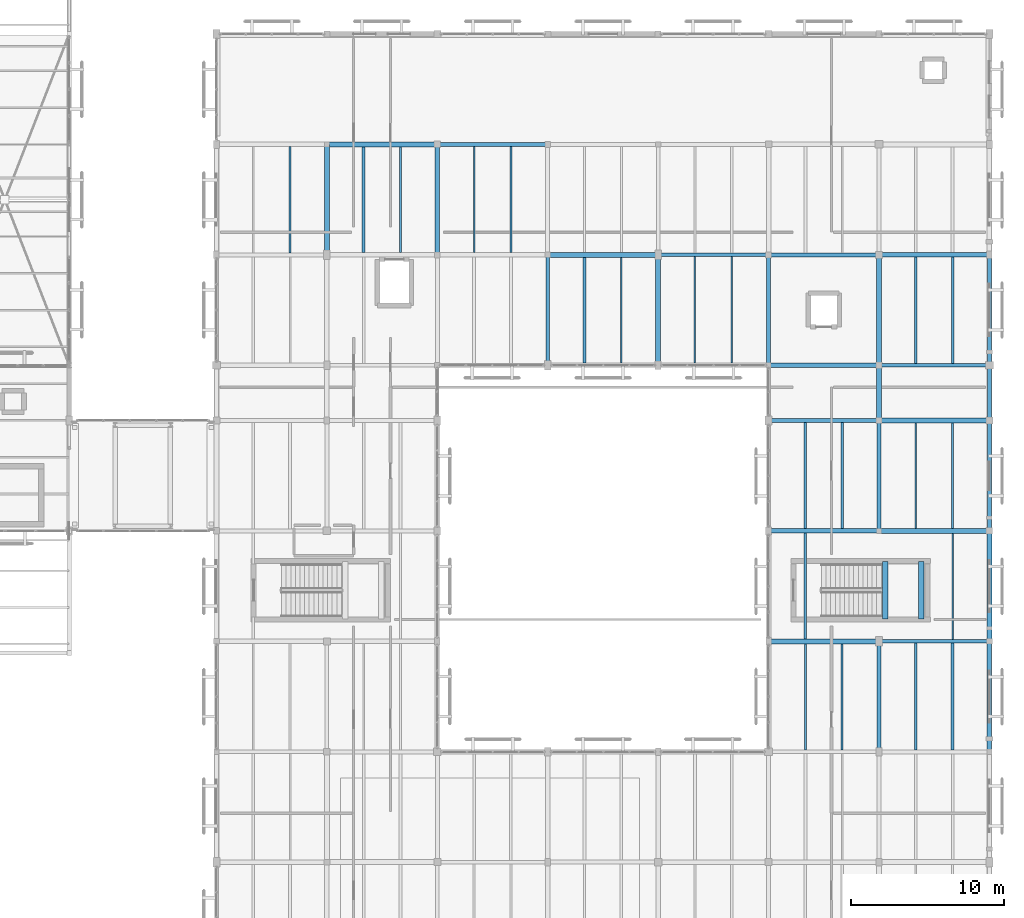
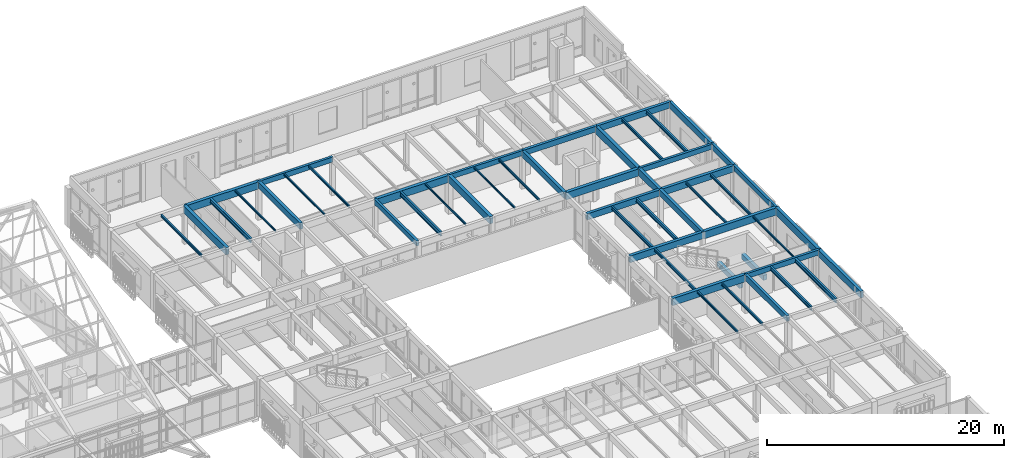
# One storey, part 155 of 217: 51 beams.
"""IFC4 building model written with IfcOpenShell, lengths in metres."""

from ifc_helpers import new_model, si_unit, direction, frame, origin, origin_2d, place, context, subcontext, project, spatial, rectangle, i_section, extrude, material, material_profile, profile_set, type_object, element, save


model = new_model("IFC4")

# Units and contexts
model_context = context("Model", 3, precision=1e-05, world=origin(), true_north=direction((0.0, 1.0)))
body_context = subcontext(model_context, "Body", "Model", "MODEL_VIEW")
ifc_project = project(units=[si_unit("LENGTHUNIT", "METRE"), si_unit("AREAUNIT", "SQUARE_METRE"), si_unit("VOLUMEUNIT", "CUBIC_METRE"), si_unit("PLANEANGLEUNIT", "RADIAN"), si_unit("MASSUNIT", "GRAM", prefix="KILO")], contexts=[model_context])

# Site, building, storey
site_placement = place(None, origin())
site = spatial("IfcSite", under=ifc_project, at=site_placement, CompositionType="ELEMENT")
building_placement = place(site_placement, origin())
building = spatial("IfcBuilding", under=site, at=building_placement, Name="Mazaris Harbour Polytechnic", CompositionType="ELEMENT")
storey_placement = place(building_placement, frame((0.0, 0.0, 9.60009765625)))
storey = spatial("IfcBuildingStorey", under=building, at=storey_placement, Name="L02", CompositionType="ELEMENT", Elevation=9.60009765625)

# Beams
ifc_material_1 = material(Name="Glulam GL32h", Category="wood")
ifc_material_profile_1 = material_profile(ifc_material_1, rectangle(XDim=0.239990234375, YDim=0.52001953125, at=origin_2d()), Name="RECT240x520")
ifc_profile_set_1 = profile_set([ifc_material_profile_1], Name="Glulam GL32h")
beam_type_1 = type_object("IfcBeamType", Name="Glulam Girder 240x520", PredefinedType="BEAM", material=ifc_profile_set_1)
for number, where, z_axis, x_axis, name in (
    (1, (165.60009765625, 68.39990234375, 3.659912109375), (1.0, 0.0, 0.0), (0.0, 1.0, 0.0), "V5 L02 Girder 3140"),
    (2, (165.60009765625, 86.39990234375, 3.659912109375), (1.0, 0.0, 0.0), (0.0, 1.0, 0.0), "V5 L02 Girder 3155"),
    (3, (151.199951171875, 93.60009765625, 3.659912109375), (1.0, 0.0, 0.0), (0.0, 1.0, 0.0), "V5 L02 Girder 3160"),
):
    element("IfcBeam", number, at=place(storey_placement, frame(where, z_axis=z_axis, x_axis=x_axis)), inside=storey, type_object=beam_type_1, Name=name, PredefinedType="BEAM", context=body_context, shape_type="SweptSolid", body=[
        extrude(rectangle(XDim=0.239990234375, YDim=0.52001953125, at=origin_2d()), origin(), (0.0, 0.0, 1.0), 7.199951171875),
    ])
beam_1_placement = place(storey_placement, frame((144.0, 86.39990234375, 3.659912109375), z_axis=(0.0, 1.0, 0.0), x_axis=(-1.0, 0.0, 0.0)))
element("IfcBeam", 4, at=beam_1_placement, inside=storey, type_object=beam_type_1, Name="V5 L02 Tie Girder 3195", PredefinedType="BEAM", context=body_context, shape_type="SweptSolid", body=[
    extrude(rectangle(XDim=0.239990234375, YDim=0.52001953125, at=origin_2d()), origin(), (0.0, 0.0, 1.0), 7.2001953125),
])
ifc_material_2 = material(Name="Glulam GL32h", Category="wood")
ifc_material_profile_2 = material_profile(ifc_material_2, rectangle(XDim=0.239990234375, YDim=0.52001953125, at=origin_2d()), Name="RECT240x520")
ifc_profile_set_2 = profile_set([ifc_material_profile_2], Name="Glulam GL32h")
beam_type_2 = type_object("IfcBeamType", Name="Glulam Girder 240x520 Exterior", PredefinedType="BEAM", material=ifc_profile_set_2)
for number, where, z_axis, x_axis, name in (
    (5, (136.800048828125, 100.800048828125, 3.659912109375), (1.0, 0.0, 0.0), (0.0, 1.0, 0.0), "V5 L02 Girder 3165"),
    (6, (172.800048828125, 75.60009765625, 3.659912109375), (0.0, 1.0, 0.0), (-1.0, 0.0, 0.0), "V5 L02 Tie Girder 3220"),
):
    element("IfcBeam", number, at=place(storey_placement, frame(where, z_axis=z_axis, x_axis=x_axis)), inside=storey, type_object=beam_type_2, Name=name, PredefinedType="BEAM", context=body_context, shape_type="SweptSolid", body=[
        extrude(rectangle(XDim=0.239990234375, YDim=0.52001953125, at=origin_2d()), origin(), (0.0, 0.0, 1.0), 7.199951171875),
    ])
ifc_material_3 = material(Name="Glulam GL32h", Category="wood")
ifc_material_profile_3 = material_profile(ifc_material_3, rectangle(XDim=0.260009765625, YDim=0.580078125, at=origin_2d()), Name="RECT260x580")
ifc_profile_set_3 = profile_set([ifc_material_profile_3], Name="Glulam GL32h")
beam_type_3 = type_object("IfcBeamType", Name="Glulam Girder 260x580", PredefinedType="BEAM", material=ifc_profile_set_3)
beam_2_placement = place(storey_placement, frame((158.39990234375, 93.60009765625, 3.6298828125), z_axis=(1.0, 0.0, 0.0), x_axis=(0.0, 1.0, 0.0)))
element("IfcBeam", 7, at=beam_2_placement, inside=storey, type_object=beam_type_3, Name="V5 L02 Girder 3161", PredefinedType="BEAM", context=body_context, shape_type="SweptSolid", body=[
    extrude(rectangle(XDim=0.260009765625, YDim=0.580078125, at=origin_2d()), origin(), (0.0, 0.0, 1.0), 7.2001953125),
])
beam_3_placement = place(storey_placement, frame((165.60009765625, 61.199951171875, 3.6298828125), z_axis=(0.0, 1.0, 0.0), x_axis=(-1.0, 0.0, 0.0)))
element("IfcBeam", 8, at=beam_3_placement, inside=storey, type_object=beam_type_3, Name="V5 L02 Tie Girder 3211", PredefinedType="BEAM", context=body_context, shape_type="SweptSolid", body=[
    extrude(rectangle(XDim=0.260009765625, YDim=0.580078125, at=origin_2d()), origin(), (0.0, 0.0, 1.0), 7.199951171875),
])
ifc_material_4 = material(Name="Glulam GL32h", Category="wood")
ifc_material_profile_4 = material_profile(ifc_material_4, rectangle(XDim=0.260009765625, YDim=0.580078125, at=origin_2d()), Name="RECT260x580")
ifc_profile_set_4 = profile_set([ifc_material_profile_4], Name="Glulam GL32h")
beam_type_4 = type_object("IfcBeamType", Name="Glulam Girder 260x580 Exterior", PredefinedType="BEAM", material=ifc_profile_set_4)
beam_4_placement = place(storey_placement, frame((172.800048828125, 82.800048828125, 3.6298828125), z_axis=(0.0, 1.0, 0.0), x_axis=(-1.0, 0.0, 0.0)))
element("IfcBeam", 9, at=beam_4_placement, inside=storey, type_object=beam_type_4, Name="V5 L02 Tie Girder 3221", PredefinedType="BEAM", context=body_context, shape_type="SweptSolid", body=[
    extrude(rectangle(XDim=0.260009765625, YDim=0.580078125, at=origin_2d()), origin(), (0.0, 0.0, 1.0), 3.599853515625),
])
ifc_material_5 = material(Name="Glulam GL32h", Category="wood")
ifc_material_profile_5 = material_profile(ifc_material_5, rectangle(XDim=0.280029296875, YDim=0.639892578125, at=origin_2d()), Name="RECT280x640")
ifc_profile_set_5 = profile_set([ifc_material_profile_5], Name="Glulam GL32h")
beam_type_5 = type_object("IfcBeamType", Name="Glulam Girder 280x640", PredefinedType="BEAM", material=ifc_profile_set_5)
beam_5_placement = place(storey_placement, frame((158.39990234375, 82.800048828125, 3.599853515625), z_axis=(1.0, 0.0, 0.0), x_axis=(0.0, 1.0, 0.0)))
element("IfcBeam", 10, at=beam_5_placement, inside=storey, type_object=beam_type_5, Name="V5 L02 Girder 3147", PredefinedType="BEAM", context=body_context, shape_type="SweptSolid", body=[
    extrude(rectangle(XDim=0.280029296875, YDim=0.639892578125, at=origin_2d()), origin(), (0.0, 0.0, 1.0), 7.2001953125),
])
for number, where, z_axis, x_axis, name in (
    (11, (165.60009765625, 93.60009765625, 3.599853515625), (1.0, 0.0, 0.0), (0.0, 1.0, 0.0), "V5 L02 Girder 3162"),
    (12, (136.800048828125, 93.60009765625, 3.599853515625), (0.0, 1.0, 0.0), (-1.0, 0.0, 0.0), "V5 L02 Tie Girder 3192"),
):
    element("IfcBeam", number, at=place(storey_placement, frame(where, z_axis=z_axis, x_axis=x_axis)), inside=storey, type_object=beam_type_5, Name=name, PredefinedType="BEAM", context=body_context, shape_type="SweptSolid", body=[
        extrude(rectangle(XDim=0.280029296875, YDim=0.639892578125, at=origin_2d()), origin(), (0.0, 0.0, 1.0), 7.199951171875),
    ])
beam_6_placement = place(storey_placement, frame((158.39990234375, 86.39990234375, 3.599853515625), z_axis=(0.0, 1.0, 0.0), x_axis=(-1.0, 0.0, 0.0)))
element("IfcBeam", 13, at=beam_6_placement, inside=storey, type_object=beam_type_5, Name="V5 L02 Tie Girder 3207", PredefinedType="BEAM", context=body_context, shape_type="SweptSolid", body=[
    extrude(rectangle(XDim=0.280029296875, YDim=0.639892578125, at=origin_2d()), origin(), (0.0, 0.0, 1.0), 7.2001953125),
])
beam_7_placement = place(storey_placement, frame((165.60009765625, 75.60009765625, 3.599853515625), z_axis=(0.0, 1.0, 0.0), x_axis=(-1.0, 0.0, 0.0)))
element("IfcBeam", 14, at=beam_7_placement, inside=storey, type_object=beam_type_5, Name="V5 L02 Tie Girder 3212", PredefinedType="BEAM", context=body_context, shape_type="SweptSolid", body=[
    extrude(rectangle(XDim=0.280029296875, YDim=0.639892578125, at=origin_2d()), origin(), (0.0, 0.0, 1.0), 7.199951171875),
])
ifc_material_6 = material(Name="Glulam GL32h", Category="wood")
ifc_material_profile_6 = material_profile(ifc_material_6, rectangle(XDim=0.280029296875, YDim=0.639892578125, at=origin_2d()), Name="RECT280x640")
ifc_profile_set_6 = profile_set([ifc_material_profile_6], Name="Glulam GL32h")
beam_type_6 = type_object("IfcBeamType", Name="Glulam Girder 280x640 Exterior", PredefinedType="BEAM", material=ifc_profile_set_6)
beam_8_placement = place(storey_placement, frame((172.800048828125, 86.39990234375, 3.599853515625), z_axis=(0.0, 1.0, 0.0), x_axis=(-1.0, 0.0, 0.0)))
element("IfcBeam", 15, at=beam_8_placement, inside=storey, type_object=beam_type_6, Name="V5 L02 Tie Girder 3222", PredefinedType="BEAM", context=body_context, shape_type="SweptSolid", body=[
    extrude(rectangle(XDim=0.280029296875, YDim=0.639892578125, at=origin_2d()), origin(), (0.0, 0.0, 1.0), 7.2001953125),
])
ifc_material_7 = material(Name="Glulam GL32h", Category="wood")
ifc_material_profile_7 = material_profile(ifc_material_7, rectangle(XDim=0.300048828125, YDim=0.679931640625, at=origin_2d()), Name="RECT300x680")
ifc_profile_set_7 = profile_set([ifc_material_profile_7], Name="Glulam GL32h")
beam_type_7 = type_object("IfcBeamType", Name="Glulam Girder 300x680", PredefinedType="BEAM", material=ifc_profile_set_7)
beam_9_placement = place(storey_placement, frame((158.39990234375, 75.60009765625, 3.579833984375), z_axis=(1.0, 0.0, 0.0), x_axis=(0.0, 1.0, 0.0)))
element("IfcBeam", 16, at=beam_9_placement, inside=storey, type_object=beam_type_7, Name="V5 L02 Girder 3143", PredefinedType="BEAM", context=body_context, shape_type="SweptSolid", body=[
    extrude(rectangle(XDim=0.300048828125, YDim=0.679931640625, at=origin_2d()), origin(), (0.0, 0.0, 1.0), 7.2001953125),
])
beam_10_placement = place(storey_placement, frame((165.60009765625, 82.800048828125, 3.579833984375), z_axis=(1.0, 0.0, 0.0), x_axis=(0.0, 1.0, 0.0)))
element("IfcBeam", 17, at=beam_10_placement, inside=storey, type_object=beam_type_7, Name="V5 L02 Girder 3148", PredefinedType="BEAM", context=body_context, shape_type="SweptSolid", body=[
    extrude(rectangle(XDim=0.300048828125, YDim=0.679931640625, at=origin_2d()), origin(), (0.0, 0.0, 1.0), 7.199951171875),
])
beam_11_placement = place(storey_placement, frame((165.60009765625, 82.800048828125, 3.579833984375), z_axis=(0.0, 1.0, 0.0), x_axis=(-1.0, 0.0, 0.0)))
element("IfcBeam", 18, at=beam_11_placement, inside=storey, type_object=beam_type_7, Name="V5 L02 Tie Girder 3213", PredefinedType="BEAM", context=body_context, shape_type="SweptSolid", body=[
    extrude(rectangle(XDim=0.300048828125, YDim=0.679931640625, at=origin_2d()), origin(), (0.0, 0.0, 1.0), 3.599853515625),
])
ifc_material_8 = material(Name="Glulam GL32h", Category="wood")
ifc_material_profile_8 = material_profile(ifc_material_8, rectangle(XDim=0.300048828125, YDim=0.679931640625, at=origin_2d()), Name="RECT300x680")
ifc_profile_set_8 = profile_set([ifc_material_profile_8], Name="Glulam GL32h")
beam_type_8 = type_object("IfcBeamType", Name="Glulam Girder 300x680 Exterior", PredefinedType="BEAM", material=ifc_profile_set_8)
beam_12_placement = place(storey_placement, frame((172.800048828125, 61.199951171875, 3.579833984375), z_axis=(0.0, 1.0, 0.0), x_axis=(-1.0, 0.0, 0.0)))
element("IfcBeam", 19, at=beam_12_placement, inside=storey, type_object=beam_type_8, Name="V5 L02 Tie Girder 3218", PredefinedType="BEAM", context=body_context, shape_type="SweptSolid", body=[
    extrude(rectangle(XDim=0.300048828125, YDim=0.679931640625, at=origin_2d()), origin(), (0.0, 0.0, 1.0), 7.199951171875),
])
ifc_material_9 = material(Name="Glulam GL32h", Category="wood")
ifc_material_profile_9 = material_profile(ifc_material_9, rectangle(XDim=0.320068359375, YDim=0.739990234375, at=origin_2d()), Name="RECT320x740")
ifc_profile_set_9 = profile_set([ifc_material_profile_9], Name="Glulam GL32h")
beam_type_9 = type_object("IfcBeamType", Name="Glulam Girder 320x740", PredefinedType="BEAM", material=ifc_profile_set_9)
beam_13_placement = place(storey_placement, frame((158.39990234375, 68.39990234375, 3.5498046875), z_axis=(1.0, 0.0, 0.0), x_axis=(0.0, 1.0, 0.0)))
element("IfcBeam", 20, at=beam_13_placement, inside=storey, type_object=beam_type_9, Name="V5 L02 Girder 3139", PredefinedType="BEAM", context=body_context, shape_type="SweptSolid", body=[
    extrude(rectangle(XDim=0.320068359375, YDim=0.739990234375, at=origin_2d()), origin(), (0.0, 0.0, 1.0), 7.2001953125),
])
beam_14_placement = place(storey_placement, frame((165.60009765625, 75.60009765625, 3.5498046875), z_axis=(1.0, 0.0, 0.0), x_axis=(0.0, 1.0, 0.0)))
element("IfcBeam", 21, at=beam_14_placement, inside=storey, type_object=beam_type_9, Name="V5 L02 Girder 3144", PredefinedType="BEAM", context=body_context, shape_type="SweptSolid", body=[
    extrude(rectangle(XDim=0.320068359375, YDim=0.739990234375, at=origin_2d()), origin(), (0.0, 0.0, 1.0), 7.199951171875),
])
beam_15_placement = place(storey_placement, frame((158.39990234375, 86.39990234375, 3.5498046875), z_axis=(1.0, 0.0, 0.0), x_axis=(0.0, 1.0, 0.0)))
element("IfcBeam", 22, at=beam_15_placement, inside=storey, type_object=beam_type_9, Name="V5 L02 Girder 3154", PredefinedType="BEAM", context=body_context, shape_type="SweptSolid", body=[
    extrude(rectangle(XDim=0.320068359375, YDim=0.739990234375, at=origin_2d()), origin(), (0.0, 0.0, 1.0), 7.2001953125),
])
for number, where, z_axis, x_axis, name in (
    (23, (144.0, 93.60009765625, 3.5498046875), (1.0, 0.0, 0.0), (0.0, 1.0, 0.0), "V5 L02 Girder 3159"),
    (24, (129.60009765625, 93.60009765625, 3.5498046875), (0.0, 1.0, 0.0), (-1.0, 0.0, 0.0), "V5 L02 Tie Girder 3184"),
):
    element("IfcBeam", number, at=place(storey_placement, frame(where, z_axis=z_axis, x_axis=x_axis)), inside=storey, type_object=beam_type_9, Name=name, PredefinedType="BEAM", context=body_context, shape_type="SweptSolid", body=[
        extrude(rectangle(XDim=0.320068359375, YDim=0.739990234375, at=origin_2d()), origin(), (0.0, 0.0, 1.0), 7.199951171875),
    ])
for number, where, z_axis, x_axis, name in (
    (25, (151.199951171875, 86.39990234375, 3.5498046875), (0.0, 1.0, 0.0), (-1.0, 0.0, 0.0), "V5 L02 Tie Girder 3199"),
    (26, (165.60009765625, 86.39990234375, 3.5498046875), (0.0, 1.0, 0.0), (-1.0, 0.0, 0.0), "V5 L02 Tie Girder 3214"),
):
    element("IfcBeam", number, at=place(storey_placement, frame(where, z_axis=z_axis, x_axis=x_axis)), inside=storey, type_object=beam_type_9, Name=name, PredefinedType="BEAM", context=body_context, shape_type="SweptSolid", body=[
        extrude(rectangle(XDim=0.320068359375, YDim=0.739990234375, at=origin_2d()), origin(), (0.0, 0.0, 1.0), 7.2001953125),
    ])
ifc_material_10 = material(Name="Glulam GL32h", Category="wood")
ifc_material_profile_10 = material_profile(ifc_material_10, rectangle(XDim=0.320068359375, YDim=0.739990234375, at=origin_2d()), Name="RECT320x740")
ifc_profile_set_10 = profile_set([ifc_material_profile_10], Name="Glulam GL32h")
beam_type_10 = type_object("IfcBeamType", Name="Glulam Girder 320x740 Exterior", PredefinedType="BEAM", material=ifc_profile_set_10)
beam_16_placement = place(storey_placement, frame((129.60009765625, 100.800048828125, 3.5498046875), z_axis=(1.0, 0.0, 0.0), x_axis=(0.0, 1.0, 0.0)))
element("IfcBeam", 27, at=beam_16_placement, inside=storey, type_object=beam_type_10, Name="V5 L02 Girder 3164", PredefinedType="BEAM", context=body_context, shape_type="SweptSolid", body=[
    extrude(rectangle(XDim=0.320068359375, YDim=0.739990234375, at=origin_2d()), origin(), (0.0, 0.0, 1.0), 7.199951171875),
])
beam_17_placement = place(storey_placement, frame((172.800048828125, 68.39990234375, 3.5498046875), z_axis=(0.0, 1.0, 0.0), x_axis=(-1.0, 0.0, 0.0)))
element("IfcBeam", 28, at=beam_17_placement, inside=storey, type_object=beam_type_10, Name="V5 L02 Tie Girder 3219", PredefinedType="BEAM", context=body_context, shape_type="SweptSolid", body=[
    extrude(rectangle(XDim=0.320068359375, YDim=0.739990234375, at=origin_2d()), origin(), (0.0, 0.0, 1.0), 7.2001953125),
])
ifc_material_11 = material(Name="Concrete C40/50", Category="concrete")
ifc_material_profile_11 = material_profile(ifc_material_11, rectangle(XDim=0.35009765625, YDim=0.52001953125, at=origin_2d()), Name="RECT350x520")
ifc_profile_set_11 = profile_set([ifc_material_profile_11], Name="Concrete C40/50")
beam_type_11 = type_object("IfcBeamType", Name="RC Landing Bearer 350x520", PredefinedType="BEAM", material=ifc_profile_set_11)
for number, where, z_axis, x_axis, name in (
    (29, (166.0, 69.85009765625, 1.639892578125), (0.0, 1.0, 0.0), (-1.0, 0.0, 0.0), "Core ST10 L02 Landing Bearer"),
    (30, (168.35009765625, 69.85009765625, 1.639892578125), (0.0, 1.0, 0.0), (-1.0, 0.0, 0.0), "Core ST10 L02 Landing Bearer"),
):
    element("IfcBeam", number, at=place(storey_placement, frame(where, z_axis=z_axis, x_axis=x_axis)), inside=storey, type_object=beam_type_11, Name=name, PredefinedType="BEAM", context=body_context, shape_type="SweptSolid", body=[
        extrude(rectangle(XDim=0.35009765625, YDim=0.52001953125, at=origin_2d()), origin(), (0.0, 0.0, 1.0), 3.75),
    ])
ifc_material_12 = material(Name="Steel S355", Category="steel")
ifc_material_profile_12 = material_profile(ifc_material_12, i_section(OverallWidth=0.10009765625, OverallDepth=0.199951171875, WebThickness=0.005615234375, FlangeThickness=0.008544921875, FilletRadius=0.011962890625, at=origin_2d()), Name="IPE 200")
ifc_profile_set_12 = profile_set([ifc_material_profile_12], Name="Steel S355")
beam_type_12 = type_object("IfcBeamType", Name="Steel Joist IPE200", PredefinedType="JOIST", material=ifc_profile_set_12)
beam_18_placement = place(storey_placement, frame((134.39990234375, 93.739990234375, 3.81982421875), z_axis=(0.0, 1.0, 0.0), x_axis=(-1.0, 0.0, 0.0)))
element("IfcBeam", 31, at=beam_18_placement, inside=storey, type_object=beam_type_12, Name="V5 L02 Floor Joist 3248", PredefinedType="JOIST", context=body_context, shape_type="SweptSolid", body=[
    extrude(i_section(OverallWidth=0.10009765625, OverallDepth=0.199951171875, WebThickness=0.005615234375, FlangeThickness=0.008544921875, FilletRadius=0.011962890625, at=origin_2d()), origin(), (0.0, 0.0, 1.0), 6.89990234375),
])
beam_19_placement = place(storey_placement, frame((139.199951171875, 93.75, 3.81982421875), z_axis=(0.0, 1.0, 0.0), x_axis=(-1.0, 0.0, 0.0)))
element("IfcBeam", 32, at=beam_19_placement, inside=storey, type_object=beam_type_12, Name="V5 L02 Floor Joist 3255", PredefinedType="JOIST", context=body_context, shape_type="SweptSolid", body=[
    extrude(i_section(OverallWidth=0.10009765625, OverallDepth=0.199951171875, WebThickness=0.005615234375, FlangeThickness=0.008544921875, FilletRadius=0.011962890625, at=origin_2d()), origin(), (0.0, 0.0, 1.0), 6.929931640625),
])
beam_20_placement = place(storey_placement, frame((148.800048828125, 86.5400390625, 3.81982421875), z_axis=(0.0, 1.0, 0.0), x_axis=(-1.0, 0.0, 0.0)))
element("IfcBeam", 33, at=beam_20_placement, inside=storey, type_object=beam_type_12, Name="V5 L02 Floor Joist 3262", PredefinedType="JOIST", context=body_context, shape_type="SweptSolid", body=[
    extrude(i_section(OverallWidth=0.10009765625, OverallDepth=0.199951171875, WebThickness=0.005615234375, FlangeThickness=0.008544921875, FilletRadius=0.011962890625, at=origin_2d()), origin(), (0.0, 0.0, 1.0), 6.89990234375),
])
beam_21_placement = place(storey_placement, frame((153.60009765625, 86.550048828125, 3.81982421875), z_axis=(0.0, 1.0, 0.0), x_axis=(-1.0, 0.0, 0.0)))
element("IfcBeam", 34, at=beam_21_placement, inside=storey, type_object=beam_type_12, Name="V5 L02 Floor Joist 3269", PredefinedType="JOIST", context=body_context, shape_type="SweptSolid", body=[
    extrude(i_section(OverallWidth=0.10009765625, OverallDepth=0.199951171875, WebThickness=0.005615234375, FlangeThickness=0.008544921875, FilletRadius=0.011962890625, at=origin_2d()), origin(), (0.0, 0.0, 1.0), 6.929931640625),
])
beam_22_placement = place(storey_placement, frame((170.39990234375, 68.52001953125, 3.81982421875), z_axis=(0.0, 1.0, 0.0), x_axis=(-1.0, 0.0, 0.0)))
element("IfcBeam", 35, at=beam_22_placement, inside=storey, type_object=beam_type_12, Name="V5 L02 Floor Joist 3290", PredefinedType="JOIST", context=body_context, shape_type="SweptSolid", body=[
    extrude(i_section(OverallWidth=0.10009765625, OverallDepth=0.199951171875, WebThickness=0.005615234375, FlangeThickness=0.008544921875, FilletRadius=0.011962890625, at=origin_2d()), origin(), (0.0, 0.0, 1.0), 6.919921875),
])
ifc_material_13 = material(Name="Steel S355", Category="steel")
ifc_material_profile_13 = material_profile(ifc_material_13, i_section(OverallWidth=0.1201171875, OverallDepth=0.239990234375, WebThickness=0.006103515625, FlangeThickness=0.009765625, FilletRadius=0.014892578125, at=origin_2d()), Name="IPE 240")
ifc_profile_set_13 = profile_set([ifc_material_profile_13], Name="Steel S355")
beam_type_13 = type_object("IfcBeamType", Name="Steel Joist IPE240", PredefinedType="JOIST", material=ifc_profile_set_13)
for number, where, z_axis, x_axis, name in (
    (36, (141.60009765625, 93.75, 3.7998046875), (0.0, 1.0, 0.0), (-1.0, 0.0, 0.0), "V5 L02 Floor Joist 3256"),
    (37, (156.0, 86.550048828125, 3.7998046875), (0.0, 1.0, 0.0), (-1.0, 0.0, 0.0), "V5 L02 Floor Joist 3270"),
):
    element("IfcBeam", number, at=place(storey_placement, frame(where, z_axis=z_axis, x_axis=x_axis)), inside=storey, type_object=beam_type_13, Name=name, PredefinedType="JOIST", context=body_context, shape_type="SweptSolid", body=[
        extrude(i_section(OverallWidth=0.1201171875, OverallDepth=0.239990234375, WebThickness=0.006103515625, FlangeThickness=0.009765625, FilletRadius=0.014892578125, at=origin_2d()), origin(), (0.0, 0.0, 1.0), 6.929931640625),
    ])
beam_23_placement = place(storey_placement, frame((160.800048828125, 61.320068359375, 3.7998046875), z_axis=(0.0, 1.0, 0.0), x_axis=(-1.0, 0.0, 0.0)))
element("IfcBeam", 38, at=beam_23_placement, inside=storey, type_object=beam_type_13, Name="V5 L02 Floor Joist 3277", PredefinedType="JOIST", context=body_context, shape_type="SweptSolid", body=[
    extrude(i_section(OverallWidth=0.1201171875, OverallDepth=0.239990234375, WebThickness=0.006103515625, FlangeThickness=0.009765625, FilletRadius=0.014892578125, at=origin_2d()), origin(), (0.0, 0.0, 1.0), 6.919921875),
])
beam_24_placement = place(storey_placement, frame((168.0, 75.760009765625, 3.7998046875), z_axis=(0.0, 1.0, 0.0), x_axis=(-1.0, 0.0, 0.0)))
element("IfcBeam", 39, at=beam_24_placement, inside=storey, type_object=beam_type_13, Name="V5 L02 Floor Joist 3291", PredefinedType="JOIST", context=body_context, shape_type="SweptSolid", body=[
    extrude(i_section(OverallWidth=0.1201171875, OverallDepth=0.239990234375, WebThickness=0.006103515625, FlangeThickness=0.009765625, FilletRadius=0.014892578125, at=origin_2d()), origin(), (0.0, 0.0, 1.0), 6.889892578125),
])
ifc_material_14 = material(Name="Steel S355", Category="steel")
ifc_material_profile_14 = material_profile(ifc_material_14, i_section(OverallWidth=0.135009765625, OverallDepth=0.27001953125, WebThickness=0.006591796875, FlangeThickness=0.01025390625, FilletRadius=0.014892578125, at=origin_2d()), Name="IPE 270")
ifc_profile_set_14 = profile_set([ifc_material_profile_14], Name="Steel S355")
beam_type_14 = type_object("IfcBeamType", Name="Steel Joist IPE270", PredefinedType="JOIST", material=ifc_profile_set_14)
for number, where, z_axis, x_axis, name in (
    (40, (127.199951171875, 93.72998046875, 3.784912109375), (0.0, 1.0, 0.0), (-1.0, 0.0, 0.0), "V5 L02 Floor Joist 3236"),
    (41, (163.199951171875, 61.320068359375, 3.784912109375), (0.0, 1.0, 0.0), (-1.0, 0.0, 0.0), "V5 L02 Floor Joist 3278"),
):
    element("IfcBeam", number, at=place(storey_placement, frame(where, z_axis=z_axis, x_axis=x_axis)), inside=storey, type_object=beam_type_14, Name=name, PredefinedType="JOIST", context=body_context, shape_type="SweptSolid", body=[
        extrude(i_section(OverallWidth=0.135009765625, OverallDepth=0.27001953125, WebThickness=0.006591796875, FlangeThickness=0.01025390625, FilletRadius=0.014892578125, at=origin_2d()), origin(), (0.0, 0.0, 1.0), 6.919921875),
    ])
beam_25_placement = place(storey_placement, frame((170.39990234375, 75.760009765625, 3.784912109375), z_axis=(0.0, 1.0, 0.0), x_axis=(-1.0, 0.0, 0.0)))
element("IfcBeam", 42, at=beam_25_placement, inside=storey, type_object=beam_type_14, Name="V5 L02 Floor Joist 3292", PredefinedType="JOIST", context=body_context, shape_type="SweptSolid", body=[
    extrude(i_section(OverallWidth=0.135009765625, OverallDepth=0.27001953125, WebThickness=0.006591796875, FlangeThickness=0.01025390625, FilletRadius=0.014892578125, at=origin_2d()), origin(), (0.0, 0.0, 1.0), 6.889892578125),
])
ifc_material_15 = material(Name="Steel S355", Category="steel")
ifc_material_profile_15 = material_profile(ifc_material_15, i_section(OverallWidth=0.14990234375, OverallDepth=0.300048828125, WebThickness=0.007080078125, FlangeThickness=0.0107421875, FilletRadius=0.014892578125, at=origin_2d()), Name="IPE 300")
ifc_profile_set_15 = profile_set([ifc_material_profile_15], Name="Steel S355")
beam_type_15 = type_object("IfcBeamType", Name="Steel Joist IPE300", PredefinedType="JOIST", material=ifc_profile_set_15)
beam_26_placement = place(storey_placement, frame((160.800048828125, 68.56005859375, 3.77001953125), z_axis=(0.0, 1.0, 0.0), x_axis=(-1.0, 0.0, 0.0)))
element("IfcBeam", 43, at=beam_26_placement, inside=storey, type_object=beam_type_15, Name="V5 L02 Floor Joist 3279", PredefinedType="JOIST", context=body_context, shape_type="SweptSolid", body=[
    extrude(i_section(OverallWidth=0.14990234375, OverallDepth=0.300048828125, WebThickness=0.007080078125, FlangeThickness=0.0107421875, FilletRadius=0.014892578125, at=origin_2d()), origin(), (0.0, 0.0, 1.0), 6.889892578125),
])
beam_27_placement = place(storey_placement, frame((168.0, 86.52001953125, 3.77001953125), z_axis=(0.0, 1.0, 0.0), x_axis=(-1.0, 0.0, 0.0)))
element("IfcBeam", 44, at=beam_27_placement, inside=storey, type_object=beam_type_15, Name="V5 L02 Floor Joist 3293", PredefinedType="JOIST", context=body_context, shape_type="SweptSolid", body=[
    extrude(i_section(OverallWidth=0.14990234375, OverallDepth=0.300048828125, WebThickness=0.007080078125, FlangeThickness=0.0107421875, FilletRadius=0.014892578125, at=origin_2d()), origin(), (0.0, 0.0, 1.0), 6.93994140625),
])
ifc_material_16 = material(Name="Steel S355", Category="steel")
ifc_material_profile_16 = material_profile(ifc_material_16, i_section(OverallWidth=0.169921875, OverallDepth=0.360107421875, WebThickness=0.008056640625, FlangeThickness=0.0126953125, FilletRadius=0.01806640625, at=origin_2d()), Name="IPE 360")
ifc_profile_set_16 = profile_set([ifc_material_profile_16], Name="Steel S355")
beam_type_16 = type_object("IfcBeamType", Name="Steel Joist IPE360", PredefinedType="JOIST", material=ifc_profile_set_16)
beam_28_placement = place(storey_placement, frame((160.800048828125, 75.75, 3.739990234375), z_axis=(0.0, 1.0, 0.0), x_axis=(-1.0, 0.0, 0.0)))
element("IfcBeam", 45, at=beam_28_placement, inside=storey, type_object=beam_type_16, Name="V5 L02 Floor Joist 3280", PredefinedType="JOIST", context=body_context, shape_type="SweptSolid", body=[
    extrude(i_section(OverallWidth=0.169921875, OverallDepth=0.360107421875, WebThickness=0.008056640625, FlangeThickness=0.0126953125, FilletRadius=0.01806640625, at=origin_2d()), origin(), (0.0, 0.0, 1.0), 6.909912109375),
])
beam_29_placement = place(storey_placement, frame((170.39990234375, 86.52001953125, 3.739990234375), z_axis=(0.0, 1.0, 0.0), x_axis=(-1.0, 0.0, 0.0)))
element("IfcBeam", 46, at=beam_29_placement, inside=storey, type_object=beam_type_16, Name="V5 L02 Floor Joist 3294", PredefinedType="JOIST", context=body_context, shape_type="SweptSolid", body=[
    extrude(i_section(OverallWidth=0.169921875, OverallDepth=0.360107421875, WebThickness=0.008056640625, FlangeThickness=0.0126953125, FilletRadius=0.01806640625, at=origin_2d()), origin(), (0.0, 0.0, 1.0), 6.93994140625),
])
ifc_material_17 = material(Name="Steel S355", Category="steel")
ifc_material_profile_17 = material_profile(ifc_material_17, i_section(OverallWidth=0.179931640625, OverallDepth=0.39990234375, WebThickness=0.008544921875, FlangeThickness=0.013427734375, FilletRadius=0.02099609375, at=origin_2d()), Name="IPE 400")
ifc_profile_set_17 = profile_set([ifc_material_profile_17], Name="Steel S355")
beam_type_17 = type_object("IfcBeamType", Name="Steel Joist IPE400", PredefinedType="JOIST", material=ifc_profile_set_17)
beam_30_placement = place(storey_placement, frame((163.199951171875, 75.75, 3.719970703125), z_axis=(0.0, 1.0, 0.0), x_axis=(-1.0, 0.0, 0.0)))
element("IfcBeam", 47, at=beam_30_placement, inside=storey, type_object=beam_type_17, Name="V5 L02 Floor Joist 3281", PredefinedType="JOIST", context=body_context, shape_type="SweptSolid", body=[
    extrude(i_section(OverallWidth=0.179931640625, OverallDepth=0.39990234375, WebThickness=0.008544921875, FlangeThickness=0.013427734375, FilletRadius=0.02099609375, at=origin_2d()), origin(), (0.0, 0.0, 1.0), 6.909912109375),
])
beam_31_placement = place(storey_placement, frame((168.0, 61.330078125, 3.719970703125), z_axis=(0.0, 1.0, 0.0), x_axis=(-1.0, 0.0, 0.0)))
element("IfcBeam", 48, at=beam_31_placement, inside=storey, type_object=beam_type_17, Name="V5 L02 Floor Joist 3288", PredefinedType="JOIST", context=body_context, shape_type="SweptSolid", body=[
    extrude(i_section(OverallWidth=0.179931640625, OverallDepth=0.39990234375, WebThickness=0.008544921875, FlangeThickness=0.013427734375, FilletRadius=0.02099609375, at=origin_2d()), origin(), (0.0, 0.0, 1.0), 6.949951171875),
])
ifc_material_18 = material(Name="Steel S355", Category="steel")
ifc_material_profile_18 = material_profile(ifc_material_18, i_section(OverallWidth=0.18994140625, OverallDepth=0.449951171875, WebThickness=0.009521484375, FlangeThickness=0.0146484375, FilletRadius=0.02099609375, at=origin_2d()), Name="IPE 450")
ifc_profile_set_18 = profile_set([ifc_material_profile_18], Name="Steel S355")
beam_type_18 = type_object("IfcBeamType", Name="Steel Joist IPE450", PredefinedType="JOIST", material=ifc_profile_set_18)
for number, where, z_axis, x_axis, name in (
    (49, (132.0, 93.739990234375, 3.69482421875), (0.0, 1.0, 0.0), (-1.0, 0.0, 0.0), "V5 L02 Floor Joist 3247"),
    (50, (146.39990234375, 86.5400390625, 3.69482421875), (0.0, 1.0, 0.0), (-1.0, 0.0, 0.0), "V5 L02 Floor Joist 3261"),
):
    element("IfcBeam", number, at=place(storey_placement, frame(where, z_axis=z_axis, x_axis=x_axis)), inside=storey, type_object=beam_type_18, Name=name, PredefinedType="JOIST", context=body_context, shape_type="SweptSolid", body=[
        extrude(i_section(OverallWidth=0.18994140625, OverallDepth=0.449951171875, WebThickness=0.009521484375, FlangeThickness=0.0146484375, FilletRadius=0.02099609375, at=origin_2d()), origin(), (0.0, 0.0, 1.0), 6.89990234375),
    ])
beam_32_placement = place(storey_placement, frame((170.39990234375, 61.330078125, 3.69482421875), z_axis=(0.0, 1.0, 0.0), x_axis=(-1.0, 0.0, 0.0)))
element("IfcBeam", 51, at=beam_32_placement, inside=storey, type_object=beam_type_18, Name="V5 L02 Floor Joist 3289", PredefinedType="JOIST", context=body_context, shape_type="SweptSolid", body=[
    extrude(i_section(OverallWidth=0.18994140625, OverallDepth=0.449951171875, WebThickness=0.009521484375, FlangeThickness=0.0146484375, FilletRadius=0.02099609375, at=origin_2d()), origin(), (0.0, 0.0, 1.0), 6.949951171875),
])

save(model, "model.ifc")
